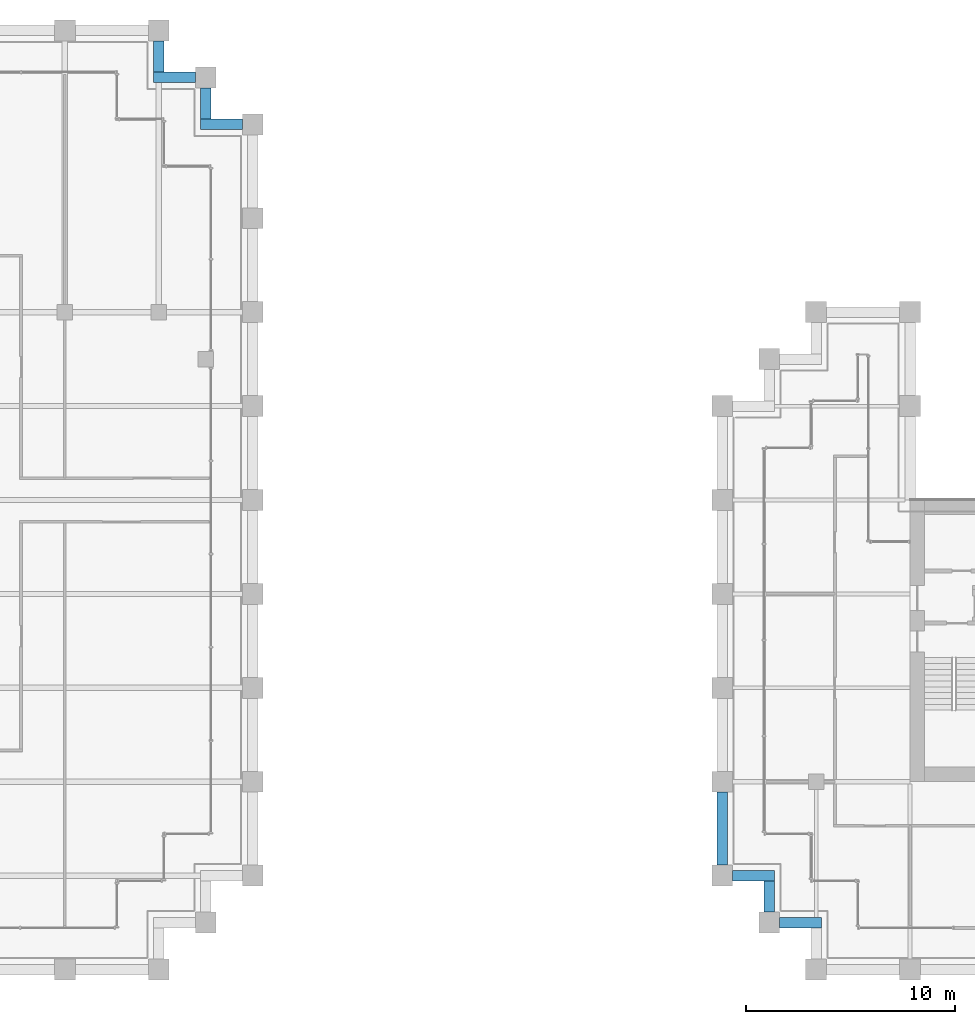
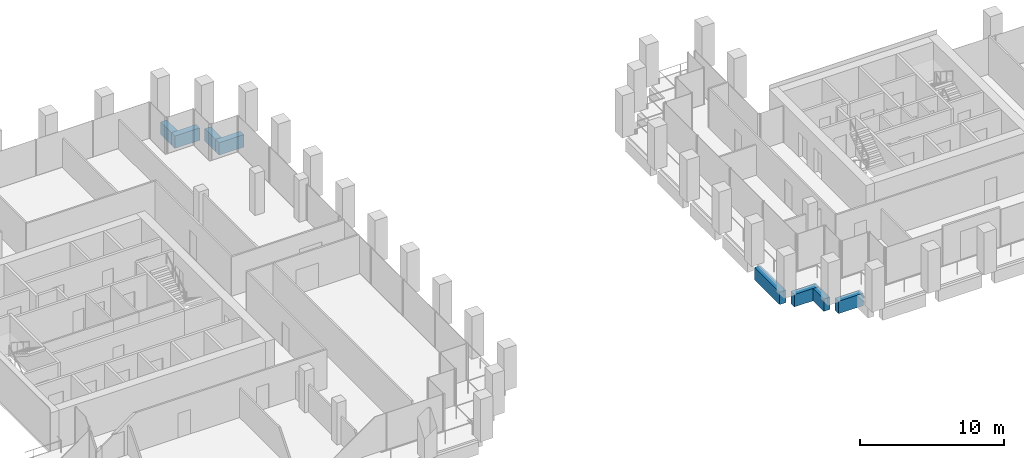
# One storey, part 27 of 45: 8 beams.
"""IFC4 building model written with IfcOpenShell, lengths in metres."""

from ifc_helpers import new_model, si_unit, direction, frame, origin, origin_2d, place, context, subcontext, project, spatial, rectangle, extrude, material, material_profile, profile_set, type_object, element, save


model = new_model("IFC4")

# Units and contexts
model_context = context("Model", 3, precision=1e-05, world=origin(), true_north=direction((0.0, 1.0)))
body_context = subcontext(model_context, "Body", "Model", "MODEL_VIEW")
ifc_project = project(units=[si_unit("LENGTHUNIT", "METRE"), si_unit("AREAUNIT", "SQUARE_METRE"), si_unit("VOLUMEUNIT", "CUBIC_METRE"), si_unit("PLANEANGLEUNIT", "RADIAN"), si_unit("MASSUNIT", "GRAM", prefix="KILO")], contexts=[model_context])

# Site, building, storey
site_placement = place(None, origin())
site = spatial("IfcSite", under=ifc_project, at=site_placement, CompositionType="ELEMENT")
building_placement = place(site_placement, origin())
building = spatial("IfcBuilding", under=site, at=building_placement, Name="Altepetl Exchange Towers", CompositionType="ELEMENT")
storey_placement = place(building_placement, frame((0.0, 0.0, 110.0)))
storey = spatial("IfcBuildingStorey", under=building, at=storey_placement, Name="L27", CompositionType="ELEMENT", Elevation=110.0)

# Beams
ifc_material_1 = material(Name="Concrete C50/60 precast with cantera rosa facing", Category="concrete")
ifc_material_profile_1 = material_profile(ifc_material_1, rectangle(XDim=0.5, YDim=1.050048828125, at=origin_2d()), Name="500 x 1050")
ifc_profile_set_1 = profile_set([ifc_material_profile_1], Name="Concrete C50/60 precast with cantera rosa facing")
beam_type_1 = type_object("IfcBeamType", Name="Spandrel beam 500x1050 cantera rosa", PredefinedType="SPANDREL", material=ifc_profile_set_1)
beam_1_placement = place(storey_placement, frame((71.5, 67.5, -0.675048828125), z_axis=(-1.0, 0.0, 0.0), x_axis=(0.0, -1.0, 0.0)))
element("IfcBeam", 1, at=beam_1_placement, inside=storey, type_object=beam_type_1, Name="sp:A:L27:020", PredefinedType="SPANDREL", context=body_context, shape_type="SweptSolid", body=[
    extrude(rectangle(XDim=0.5, YDim=1.050048828125, at=origin_2d()), origin(), (0.0, 0.0, 1.0), 2.0),
])
beam_2_placement = place(storey_placement, frame((69.75, 67.75, -0.675048828125), z_axis=(0.0, 1.0, 0.0), x_axis=(-1.0, 0.0, 0.0)))
element("IfcBeam", 2, at=beam_2_placement, inside=storey, type_object=beam_type_1, Name="sp:A:L27:021", PredefinedType="SPANDREL", context=body_context, shape_type="SweptSolid", body=[
    extrude(rectangle(XDim=0.5, YDim=1.050048828125, at=origin_2d()), origin(), (0.0, 0.0, 1.0), 1.5),
])
beam_3_placement = place(storey_placement, frame((69.25, 69.75, -0.675048828125), z_axis=(-1.0, 0.0, 0.0), x_axis=(0.0, -1.0, 0.0)))
element("IfcBeam", 3, at=beam_3_placement, inside=storey, type_object=beam_type_1, Name="sp:A:L27:022", PredefinedType="SPANDREL", context=body_context, shape_type="SweptSolid", body=[
    extrude(rectangle(XDim=0.5, YDim=1.050048828125, at=origin_2d()), origin(), (0.0, 0.0, 1.0), 2.0),
])
beam_4_placement = place(storey_placement, frame((67.5, 70.0, -0.675048828125), z_axis=(0.0, 1.0, 0.0), x_axis=(-1.0, 0.0, 0.0)))
element("IfcBeam", 4, at=beam_4_placement, inside=storey, type_object=beam_type_1, Name="sp:A:L27:023", PredefinedType="SPANDREL", context=body_context, shape_type="SweptSolid", body=[
    extrude(rectangle(XDim=0.5, YDim=1.050048828125, at=origin_2d()), origin(), (0.0, 0.0, 1.0), 1.5),
])
ifc_material_2 = material(Name="Concrete C50/60 precast with tezontle facing", Category="concrete")
ifc_material_profile_2 = material_profile(ifc_material_2, rectangle(XDim=0.5, YDim=1.050048828125, at=origin_2d()), Name="500 x 1050")
ifc_profile_set_2 = profile_set([ifc_material_profile_2], Name="Concrete C50/60 precast with tezontle facing")
beam_type_2 = type_object("IfcBeamType", Name="Spandrel beam 500x1050 tezontle", PredefinedType="SPANDREL", material=ifc_profile_set_2)
beam_5_placement = place(storey_placement, frame((94.5, 35.5, -0.675048828125), z_axis=(0.0, -1.0, 0.0), x_axis=(1.0, 0.0, 0.0)))
element("IfcBeam", 5, at=beam_5_placement, inside=storey, type_object=beam_type_2, Name="sp:B:L27:026", PredefinedType="SPANDREL", context=body_context, shape_type="SweptSolid", body=[
    extrude(rectangle(XDim=0.5, YDim=1.050048828125, at=origin_2d()), origin(), (0.0, 0.0, 1.0), 3.5),
])
beam_6_placement = place(storey_placement, frame((95.0, 31.5, -0.675048828125), z_axis=(1.0, 0.0, 0.0), x_axis=(0.0, 1.0, 0.0)))
element("IfcBeam", 6, at=beam_6_placement, inside=storey, type_object=beam_type_2, Name="sp:B:L27:027", PredefinedType="SPANDREL", context=body_context, shape_type="SweptSolid", body=[
    extrude(rectangle(XDim=0.5, YDim=1.050048828125, at=origin_2d()), origin(), (0.0, 0.0, 1.0), 2.0),
])
beam_7_placement = place(storey_placement, frame((96.75, 31.25, -0.675048828125), z_axis=(0.0, -1.0, 0.0), x_axis=(1.0, 0.0, 0.0)))
element("IfcBeam", 7, at=beam_7_placement, inside=storey, type_object=beam_type_2, Name="sp:B:L27:028", PredefinedType="SPANDREL", context=body_context, shape_type="SweptSolid", body=[
    extrude(rectangle(XDim=0.5, YDim=1.050048828125, at=origin_2d()), origin(), (0.0, 0.0, 1.0), 1.5),
])
beam_8_placement = place(storey_placement, frame((97.25, 29.25, -0.675048828125), z_axis=(1.0, 0.0, 0.0), x_axis=(0.0, 1.0, 0.0)))
element("IfcBeam", 8, at=beam_8_placement, inside=storey, type_object=beam_type_2, Name="sp:B:L27:029", PredefinedType="SPANDREL", context=body_context, shape_type="SweptSolid", body=[
    extrude(rectangle(XDim=0.5, YDim=1.050048828125, at=origin_2d()), origin(), (0.0, 0.0, 1.0), 2.0),
])

save(model, "model.ifc")
